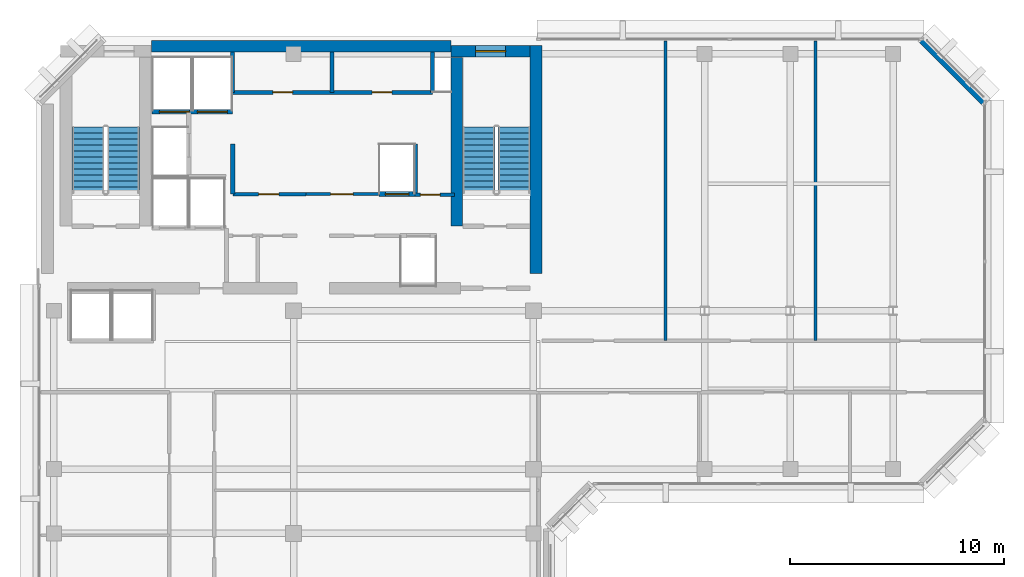
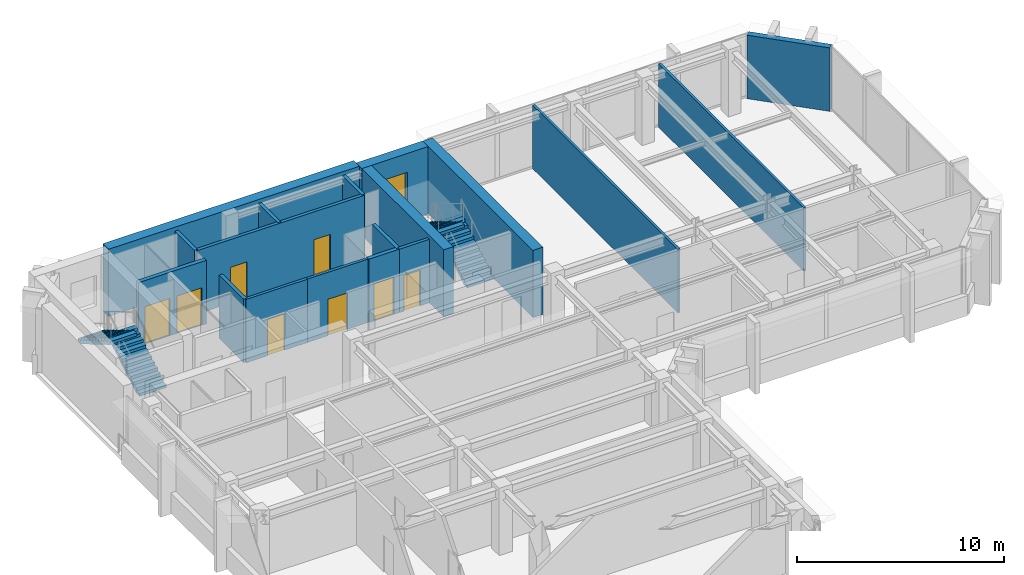
# One storey, part 8 of 11: 18 walls, 8 doors, 4 stair flights, 1 window, 9 openings, 2 elements without a shape of their own.
"""IFC4 building model written with IfcOpenShell, lengths in metres."""

from ifc_helpers import new_model, si_unit, direction, frame, frame_2d, origin, place, context, subcontext, project, spatial, polyline, rectangle, outline, extrude, material, layer, layer_set, type_object, element, fill, aggregate, save


model = new_model("IFC4")

# Units and contexts
model_context = context("Model", 3, precision=1e-05, world=origin(), true_north=direction((0.0, 1.0)))
body_context = subcontext(model_context, "Body", "Model", "MODEL_VIEW")
ifc_project = project(units=[si_unit("LENGTHUNIT", "METRE"), si_unit("AREAUNIT", "SQUARE_METRE"), si_unit("VOLUMEUNIT", "CUBIC_METRE"), si_unit("PLANEANGLEUNIT", "RADIAN"), si_unit("MASSUNIT", "GRAM", prefix="KILO")], contexts=[model_context])

# Site, building, storey
site_placement = place(None, origin())
site = spatial("IfcSite", under=ifc_project, at=site_placement, CompositionType="ELEMENT")
building_placement = place(site_placement, origin())
building = spatial("IfcBuilding", under=site, at=building_placement, Name="Kefirva Bronze Tower", CompositionType="ELEMENT")
storey_placement = place(building_placement, frame((0.0, 0.0, 292.050048828125)))
storey = spatial("IfcBuildingStorey", under=building, at=storey_placement, Name="L71", CompositionType="ELEMENT", Elevation=292.050048828125)

# Walls
ifc_material_1 = material(Name="Gypsum acoustic partition")
ifc_layer_1 = layer(ifc_material_1, 0.1298828125, Name="Gypsum acoustic partition")
ifc_layer_set_1 = layer_set([ifc_layer_1], Name="Gypsum acoustic partition")
wall_type_1 = type_object("IfcWallType", Name="Acoustic Office Partition 130mm", PredefinedType="PARTITIONING", material=ifc_layer_set_1)
for number, where, z_axis, x_axis, name in (
    (1, (29.370849609375, 31.800048828125, 0.0), (0.0, 0.0, 1.0), (0.0, 1.0, 0.0), "L71 Partition W-L71-END1"),
    (2, (36.378173828125, 31.800048828125, 0.0), (0.0, 0.0, 1.0), (0.0, 1.0, 0.0), "L71 Partition W-L71-END2"),
):
    element("IfcWall", number, at=place(storey_placement, frame(where, z_axis=z_axis, x_axis=x_axis)), inside=storey, type_object=wall_type_1, Name=name, PredefinedType="PARTITIONING", context=body_context, shape_type="SweptSolid", body=[
        extrude(rectangle(XDim=14.010009765625, YDim=0.1298828125, at=frame_2d((7.0048828125, 0.0))), origin(), (0.0, 0.0, 1.0), 3.739990234375),
    ])

# Wall, opening, door
ifc_layer_2 = layer(ifc_material_1, 0.14990234375, Name="Gypsum acoustic partition")
ifc_layer_set_2 = layer_set([ifc_layer_2], Name="Gypsum acoustic partition")
wall_type_2 = type_object("IfcWallType", Name="Executive Suite Partition 150mm", PredefinedType="PARTITIONING", material=ifc_layer_set_2)
wall_1_placement = place(storey_placement, frame((12.580078125, 38.64990234375, 0.0), z_axis=(0.0, 0.0, 1.0), x_axis=(1.0, 0.0, 0.0)))
wall_1 = element("IfcWall", 3, at=wall_1_placement, inside=storey, type_object=wall_type_2, Name="L71 Partition W-L71-RECMP2", PredefinedType="PARTITIONING", context=body_context, shape_type="SweptSolid", body=[
    extrude(rectangle(XDim=3.3798828125, YDim=0.14990234375, at=frame_2d((1.68994140625, 0.0))), origin(), (0.0, 0.0, 1.0), 3.739990234375),
])
opening_1_placement = place(wall_1_placement, frame((2.199951171875, 0.0, 0.0), z_axis=(0.0, 0.0, 1.0), x_axis=(-1.0, 0.0, 0.0)))
opening_1 = element("IfcOpeningElement", 4, at=opening_1_placement, cuts=wall_1, Name="Opening L71-D-RECMP2", PredefinedType="OPENING", context=body_context, shape_type="SweptSolid", body=[
    extrude(rectangle(XDim=1.050048828125, YDim=2.14990234375, at=frame_2d((0.52490234375, 1.074951171875))), frame((0.0, 0.0849609375, 0.0), z_axis=(0.0, -1.0, 0.0), x_axis=(1.0, 0.0, 0.0)), (0.0, 0.0, 1.0), 0.169921875),
])
ifc_material_2 = material(Name="Acoustic hardwood oak", Category="wood")
door_type_1 = type_object("IfcDoorType", Name="Executive & Boardroom Door 1050x2150", OperationType="NOTDEFINED", PredefinedType="DOOR", material=ifc_material_2)
door_1_placement = place(opening_1_placement, origin())
door_1 = element("IfcDoor", 5, at=door_1_placement, inside=storey, type_object=door_type_1, Name="Door L71-D-RECMP2", OperationType="SINGLE_SWING_RIGHT", OverallHeight=2.14990234375, OverallWidth=1.050048828125, PredefinedType="DOOR", context=body_context, shape_type="SweptSolid", body=[
    extrude(rectangle(XDim=1.050048828125, YDim=2.14990234375, at=frame_2d((0.52490234375, 1.074951171875))), frame((0.0, 0.02490234375, 0.0), z_axis=(0.0, -1.0, 0.0), x_axis=(1.0, 0.0, 0.0)), (0.0, 0.0, 1.0), 0.050048828125),
])
fill(opening_1, door_1)

# Wall, openings, doors
ifc_material_3 = material(Name="Gypsum fireboard shaftwall")
ifc_layer_3 = layer(ifc_material_3, 0.219970703125, Name="Gypsum fireboard shaftwall")
ifc_layer_set_3 = layer_set([ifc_layer_3], Name="Gypsum fireboard shaftwall")
wall_type_3 = type_object("IfcWallType", Name="Fire-Rated Shaft Enclosure Wall 220mm", PredefinedType="PARTITIONING", material=ifc_layer_set_3)
wall_2_placement = place(storey_placement, frame((5.3798828125, 42.5, 0.0), z_axis=(0.0, 0.0, 1.0), x_axis=(1.0, 0.0, 0.0)))
wall_2 = element("IfcWall", 6, at=wall_2_placement, inside=storey, type_object=wall_type_3, Name="L71 Partition W-L71-SVS", PredefinedType="PARTITIONING", context=body_context, shape_type="SweptSolid", body=[
    extrude(rectangle(XDim=3.77001953125, YDim=0.219970703125, at=frame_2d((1.885009765625, 0.0))), origin(), (0.0, 0.0, 1.0), 3.739990234375),
])
opening_2_placement = place(wall_2_placement, frame((1.75, 0.0, 0.0), z_axis=(0.0, 0.0, 1.0), x_axis=(-1.0, 0.0, 0.0)))
opening_2 = element("IfcOpeningElement", 7, at=opening_2_placement, cuts=wall_2, Name="Opening L71-LD-SV1", PredefinedType="OPENING", context=body_context, shape_type="SweptSolid", body=[
    extrude(rectangle(XDim=1.39990234375, YDim=2.199951171875, at=frame_2d((0.699951171875, 1.10009765625))), frame((0.0, 0.1201171875, 0.0), z_axis=(0.0, -1.0, 0.0), x_axis=(1.0, 0.0, 0.0)), (0.0, 0.0, 1.0), 0.239990234375),
])
opening_3_placement = place(wall_2_placement, frame((3.52978515625, 0.0, 0.0), z_axis=(0.0, 0.0, 1.0), x_axis=(-1.0, 0.0, 0.0)))
opening_3 = element("IfcOpeningElement", 8, at=opening_3_placement, cuts=wall_2, Name="Opening L71-LD-SV2", PredefinedType="OPENING", context=body_context, shape_type="SweptSolid", body=[
    extrude(rectangle(XDim=1.39990234375, YDim=2.199951171875, at=frame_2d((0.699951171875, 1.10009765625))), frame((0.0, 0.1201171875, 0.0), z_axis=(0.0, -1.0, 0.0), x_axis=(1.0, 0.0, 0.0)), (0.0, 0.0, 1.0), 0.239990234375),
])
ifc_material_4 = material(Name="Stainless steel 316", Category="steel")
door_type_2 = type_object("IfcDoorType", Name="Goods Lift Bi-Parting Sliding Door 1400x2200", OperationType="SLIDING_TO_LEFT", PredefinedType="DOOR", material=ifc_material_4)
door_2_placement = place(opening_2_placement, origin())
door_2 = element("IfcDoor", 9, at=door_2_placement, inside=storey, type_object=door_type_2, Name="Door L71-LD-SV1", OperationType="SLIDING_TO_LEFT", OverallHeight=2.199951171875, OverallWidth=1.39990234375, PredefinedType="DOOR", context=body_context, shape_type="SweptSolid", body=[
    extrude(rectangle(XDim=1.39990234375, YDim=2.199951171875, at=frame_2d((0.699951171875, 1.10009765625))), frame((0.0, 0.02490234375, 0.0), z_axis=(0.0, -1.0, 0.0), x_axis=(1.0, 0.0, 0.0)), (0.0, 0.0, 1.0), 0.050048828125),
])
fill(opening_2, door_2)
door_3_placement = place(opening_3_placement, origin())
door_3 = element("IfcDoor", 10, at=door_3_placement, inside=storey, type_object=door_type_2, Name="Door L71-LD-SV2", OperationType="SLIDING_TO_LEFT", OverallHeight=2.199951171875, OverallWidth=1.39990234375, PredefinedType="DOOR", context=body_context, shape_type="SweptSolid", body=[
    extrude(rectangle(XDim=1.39990234375, YDim=2.199951171875, at=frame_2d((0.699951171875, 1.10009765625))), frame((0.0, 0.02490234375, 0.0), z_axis=(0.0, -1.0, 0.0), x_axis=(1.0, 0.0, 0.0)), (0.0, 0.0, 1.0), 0.050048828125),
])
fill(opening_3, door_3)

# Walls
for number, where, z_axis, x_axis, name in (
    (11, (9.159912109375, 38.64990234375, 0.0), (0.0, 0.0, 1.0), (0.0, 1.0, 0.0), "L71 Partition W-L71-LP3W"),
    (12, (17.679931640625, 38.64990234375, 0.0), (0.0, 0.0, 1.0), (0.0, 1.0, 0.0), "L71 Partition W-L71-HP2E"),
):
    element("IfcWall", number, at=place(storey_placement, frame(where, z_axis=z_axis, x_axis=x_axis)), inside=storey, type_object=wall_type_3, Name=name, PredefinedType="PARTITIONING", context=body_context, shape_type="SweptSolid", body=[
        extrude(rectangle(XDim=2.35009765625, YDim=0.199951171875, at=frame_2d((1.175048828125, 0.0))), origin(), (0.0, 0.0, 1.0), 3.739990234375),
    ])

# Wall, opening, door
wall_3_placement = place(storey_placement, frame((15.97998046875, 38.64990234375, 0.0), z_axis=(0.0, 0.0, 1.0), x_axis=(1.0, 0.0, 0.0)))
wall_3 = element("IfcWall", 13, at=wall_3_placement, inside=storey, type_object=wall_type_3, Name="L71 Partition W-L71-HPN", PredefinedType="PARTITIONING", context=body_context, shape_type="SweptSolid", body=[
    extrude(rectangle(XDim=1.719970703125, YDim=0.219970703125, at=frame_2d((0.85986328125, 0.0))), origin(), (0.0, 0.0, 1.0), 3.739990234375),
])
opening_4_placement = place(wall_3_placement, frame((0.300048828125, 0.0, 0.0)))
opening_4 = element("IfcOpeningElement", 14, at=opening_4_placement, cuts=wall_3, Name="Opening L71-LD-HP2", PredefinedType="OPENING", context=body_context, shape_type="SweptSolid", body=[
    extrude(rectangle(XDim=1.10009765625, YDim=2.199951171875, at=frame_2d((0.550048828125, 1.10009765625))), frame((0.0, 0.1201171875, 0.0), z_axis=(0.0, -1.0, 0.0), x_axis=(1.0, 0.0, 0.0)), (0.0, 0.0, 1.0), 0.239990234375),
])
door_type_3 = type_object("IfcDoorType", Name="Passenger Lift Sliding Landing Door 1100x2200", OperationType="SLIDING_TO_LEFT", PredefinedType="DOOR", material=ifc_material_4)
door_4_placement = place(opening_4_placement, origin())
door_4 = element("IfcDoor", 15, at=door_4_placement, inside=storey, type_object=door_type_3, Name="Door L71-LD-HP2", OperationType="SLIDING_TO_LEFT", OverallHeight=2.199951171875, OverallWidth=1.10009765625, PredefinedType="DOOR", context=body_context, shape_type="SweptSolid", body=[
    extrude(rectangle(XDim=1.10009765625, YDim=2.199951171875, at=frame_2d((0.550048828125, 1.10009765625))), frame((0.0, 0.02490234375, 0.0), z_axis=(0.0, -1.0, 0.0), x_axis=(1.0, 0.0, 0.0)), (0.0, 0.0, 1.0), 0.050048828125),
])
fill(opening_4, door_4)

ifc_material_5 = material(Name="Gypsum fireboard barrier")
ifc_layer_4 = layer(ifc_material_5, 0.199951171875, Name="Gypsum fireboard barrier")
ifc_layer_set_4 = layer_set([ifc_layer_4], Name="Gypsum fireboard barrier")
wall_type_4 = type_object("IfcWallType", Name="Firefighting Lobby Barrier Wall 200mm", PredefinedType="PARTITIONING", material=ifc_layer_set_4)
wall_4_placement = place(storey_placement, frame((17.679931640625, 38.6201171875, 0.0), z_axis=(0.0, 0.0, 1.0), x_axis=(1.0, 0.0, 0.0)))
wall_4 = element("IfcWall", 16, at=wall_4_placement, inside=storey, type_object=wall_type_4, Name="L71 Partition W-L71-CPASS", PredefinedType="PARTITIONING", context=body_context, shape_type="SweptSolid", body=[
    extrude(rectangle(XDim=1.840087890625, YDim=0.179931640625, at=frame_2d((0.919921875, 0.0))), origin(), (0.0, 0.0, 1.0), 3.739990234375),
])
opening_5_placement = place(wall_4_placement, frame((0.239990234375, 0.0, 0.0)))
opening_5 = element("IfcOpeningElement", 17, at=opening_5_placement, cuts=wall_4, Name="Opening L71-D-CPAS", PredefinedType="OPENING", context=body_context, shape_type="SweptSolid", body=[
    extrude(rectangle(XDim=0.919921875, YDim=2.10009765625, at=frame_2d((0.4599609375, 1.050048828125))), frame((0.0, 0.10009765625, 0.0), z_axis=(0.0, -1.0, 0.0), x_axis=(1.0, 0.0, 0.0)), (0.0, 0.0, 1.0), 0.199951171875),
])
ifc_material_6 = material(Name="Moisture-resistant timber", Category="wood")
door_type_4 = type_object("IfcDoorType", Name="Accessible Sanitary & WC Door 920x2100", OperationType="NOTDEFINED", PredefinedType="DOOR", material=ifc_material_6)
door_5_placement = place(opening_5_placement, origin())
door_5 = element("IfcDoor", 18, at=door_5_placement, inside=storey, type_object=door_type_4, Name="Door L71-D-CPAS", OperationType="SINGLE_SWING_LEFT", OverallHeight=2.10009765625, OverallWidth=0.919921875, PredefinedType="DOOR", context=body_context, shape_type="SweptSolid", body=[
    extrude(rectangle(XDim=0.919921875, YDim=2.10009765625, at=frame_2d((0.4599609375, 1.050048828125))), frame((0.0, 0.02490234375, 0.0), z_axis=(0.0, -1.0, 0.0), x_axis=(1.0, 0.0, 0.0)), (0.0, 0.0, 1.0), 0.050048828125),
])
fill(opening_5, door_5)

# Wall
ifc_material_7 = material(Name="Precast concrete C40/50", Category="concrete")
ifc_layer_5 = layer(ifc_material_7, 0.320068359375, Name="Precast concrete C40/50")
ifc_layer_set_5 = layer_set([ifc_layer_5], Name="Precast concrete C40/50")
wall_type_5 = type_object("IfcWallType", Name="Precast Insulated Exterior Wall 320mm", PredefinedType="SOLIDWALL", material=ifc_layer_set_5)
wall_5_placement = place(storey_placement, frame((44.248046875, 42.92578125, 0.0), z_axis=(0.0, 0.0, 1.0), x_axis=(-0.707136318428, 0.707077242712, 0.0)))
element("IfcWall", 19, at=wall_5_placement, inside=storey, type_object=wall_type_5, Name="L71 Exterior Facade Wall 5", PredefinedType="SOLIDWALL", context=body_context, shape_type="SweptSolid", body=[
    extrude(rectangle(XDim=4.132568359375, YDim=0.320068359375, at=frame_2d((2.06640625, 0.0))), origin(), (0.0, 0.0, 1.0), 3.739990234375),
])

# Wall, opening, door
ifc_layer_6 = layer(ifc_material_1, 0.159912109375, Name="Gypsum acoustic partition")
ifc_layer_set_6 = layer_set([ifc_layer_6], Name="Gypsum acoustic partition")
wall_type_6 = type_object("IfcWallType", Name="Protected Corridor Partition 160mm", PredefinedType="PARTITIONING", material=ifc_layer_set_6)
wall_6_placement = place(storey_placement, frame((9.159912109375, 38.64990234375, 0.0), z_axis=(0.0, 0.0, 1.0), x_axis=(1.0, 0.0, 0.0)))
wall_6 = element("IfcWall", 20, at=wall_6_placement, inside=storey, type_object=wall_type_6, Name="L71 Partition W-L71-RECLP2", PredefinedType="PARTITIONING", context=body_context, shape_type="SweptSolid", body=[
    extrude(rectangle(XDim=3.420166015625, YDim=0.159912109375, at=frame_2d((1.7099609375, 0.0))), origin(), (0.0, 0.0, 1.0), 3.739990234375),
])
opening_6_placement = place(wall_6_placement, frame((2.14990234375, 0.0, 0.0), z_axis=(0.0, 0.0, 1.0), x_axis=(-1.0, 0.0, 0.0)))
opening_6 = element("IfcOpeningElement", 21, at=opening_6_placement, cuts=wall_6, Name="Opening L71-D-RECLP2", PredefinedType="OPENING", context=body_context, shape_type="SweptSolid", body=[
    extrude(rectangle(XDim=0.949951171875, YDim=2.14990234375, at=frame_2d((0.47509765625, 1.074951171875))), frame((0.0, 0.08984375, 0.0), z_axis=(0.0, -1.0, 0.0), x_axis=(1.0, 0.0, 0.0)), (0.0, 0.0, 1.0), 0.179931640625),
])
door_type_5 = type_object("IfcDoorType", Name="Office & Meeting Room Door 950x2150", OperationType="NOTDEFINED", PredefinedType="DOOR", material=ifc_material_2)
door_6_placement = place(opening_6_placement, origin())
door_6 = element("IfcDoor", 22, at=door_6_placement, inside=storey, type_object=door_type_5, Name="Door L71-D-RECLP2", OperationType="SINGLE_SWING_RIGHT", OverallHeight=2.14990234375, OverallWidth=0.949951171875, PredefinedType="DOOR", context=body_context, shape_type="SweptSolid", body=[
    extrude(rectangle(XDim=0.949951171875, YDim=2.14990234375, at=frame_2d((0.47509765625, 1.074951171875))), frame((0.0, 0.02490234375, 0.0), z_axis=(0.0, -1.0, 0.0), x_axis=(1.0, 0.0, 0.0)), (0.0, 0.0, 1.0), 0.050048828125),
])
fill(opening_6, door_6)

# Wall
ifc_material_8 = material(Name="Concrete C50/60", Category="concrete")
ifc_layer_7 = layer(ifc_material_8, 0.550048828125, Name="Concrete C50/60")
ifc_layer_set_7 = layer_set([ifc_layer_7], Name="Concrete C50/60")
wall_type_7 = type_object("IfcWallType", Name="RC Rear Core Exterior Wall 550mm", PredefinedType="SHEAR", material=ifc_layer_set_7)
wall_7_placement = place(storey_placement, frame((5.360107421875, 45.550048828125, 0.0), z_axis=(0.0, 0.0, 1.0), x_axis=(1.0, 0.0, 0.0)))
element("IfcWall", 23, at=wall_7_placement, inside=storey, type_object=wall_type_7, Name="L71 Rear Core North Shear Wall", PredefinedType="SHEAR", context=body_context, shape_type="SweptSolid", body=[
    extrude(rectangle(XDim=13.97998046875, YDim=0.550048828125, at=frame_2d((6.989990234375, 0.0))), origin(), (0.0, 0.0, 1.0), 3.9599609375),
])

# Wall, opening, window
wall_8_placement = place(storey_placement, frame((19.35009765625, 45.320068359375, 0.0), z_axis=(0.0, 0.0, 1.0), x_axis=(1.0, 0.0, 0.0)))
wall_8 = element("IfcWall", 24, at=wall_8_placement, inside=storey, type_object=wall_type_7, Name="L71 Stair 2 North Shear Wall", PredefinedType="SHEAR", context=body_context, shape_type="SweptSolid", body=[
    extrude(rectangle(XDim=3.68994140625, YDim=0.550048828125, at=frame_2d((1.844970703125, 0.0))), origin(), (0.0, 0.0, 1.0), 3.9599609375),
])
opening_7_placement = place(wall_8_placement, frame((1.14990234375, 0.0, 1.050048828125)))
opening_7 = element("IfcOpeningElement", 25, at=opening_7_placement, cuts=wall_8, Name="Opening WN-03", PredefinedType="OPENING", context=body_context, shape_type="SweptSolid", body=[
    extrude(rectangle(XDim=1.39990234375, YDim=1.800048828125, at=frame_2d((0.699951171875, 0.89990234375))), frame((0.0, 0.28515625, 0.0), z_axis=(0.0, -1.0, 0.0), x_axis=(1.0, 0.0, 0.0)), (0.0, 0.0, 1.0), 0.570068359375),
])
ifc_material_9 = material(Name="Laminated low-E double glazing", Category="glass")
window_type = type_object("IfcWindowType", Name="Rear-Core Stair Daylight Window 1400x1800", PartitioningType="SINGLE_PANEL", PredefinedType="WINDOW", material=ifc_material_9)
window_placement = place(opening_7_placement, origin())
window = element("IfcWindow", 26, at=window_placement, inside=storey, type_object=window_type, Name="L71 Stair 2 Daylight Window", OverallHeight=1.800048828125, OverallWidth=1.39990234375, PartitioningType="SINGLE_PANEL", PredefinedType="WINDOW", context=body_context, shape_type="SweptSolid", body=[
    extrude(rectangle(XDim=1.39990234375, YDim=1.800048828125, at=frame_2d((0.699951171875, 0.89990234375))), frame((0.0, 0.030029296875, 0.0), z_axis=(0.0, -1.0, 0.0), x_axis=(1.0, 0.0, 0.0)), (0.0, 0.0, 1.0), 0.06005859375),
])
fill(opening_7, window)

# Walls
ifc_layer_8 = layer(ifc_material_8, 0.550048828125, Name="Concrete C50/60")
ifc_layer_set_8 = layer_set([ifc_layer_8], Name="Concrete C50/60")
wall_type_8 = type_object("IfcWallType", Name="RC Rear Core Interior Wall 550mm", PredefinedType="SHEAR", material=ifc_layer_set_8)
wall_9_placement = place(storey_placement, frame((23.324951171875, 34.949951171875, 0.0), z_axis=(0.0, 0.0, 1.0), x_axis=(0.0, 1.0, 0.0)))
element("IfcWall", 27, at=wall_9_placement, inside=storey, type_object=wall_type_8, Name="L71 Rear Core East Shear Wall", PredefinedType="SHEAR", context=body_context, shape_type="SweptSolid", body=[
    extrude(rectangle(XDim=10.64013671875, YDim=0.550048828125, at=frame_2d((5.320068359375, 0.0))), origin(), (0.0, 0.0, 1.0), 3.9599609375),
])
wall_10_placement = place(storey_placement, frame((19.6201171875, 37.14990234375, 0.0), z_axis=(0.0, 0.0, 1.0), x_axis=(0.0, 1.0, 0.0)))
element("IfcWall", 28, at=wall_10_placement, inside=storey, type_object=wall_type_8, Name="L71 Stair 2 West Shear Wall", PredefinedType="SHEAR", context=body_context, shape_type="SweptSolid", body=[
    extrude(rectangle(XDim=7.89013671875, YDim=0.550048828125, at=frame_2d((3.945068359375, 0.0))), origin(), (0.0, 0.0, 1.0), 3.9599609375),
])

# Wall, openings, doors
ifc_material_10 = material(Name="Moisture-resistant partition")
ifc_layer_9 = layer(ifc_material_10, 0.179931640625, Name="Moisture-resistant partition")
ifc_layer_set_9 = layer_set([ifc_layer_9], Name="Moisture-resistant partition")
wall_type_9 = type_object("IfcWallType", Name="Sanitary Plumbing Chase Wall 180mm", PredefinedType="PLUMBINGWALL", material=ifc_layer_set_9)
wall_11_placement = place(storey_placement, frame((9.14990234375, 43.39990234375, 0.0), z_axis=(0.0, 0.0, 1.0), x_axis=(1.0, 0.0, 0.0)))
wall_11 = element("IfcWall", 29, at=wall_11_placement, inside=storey, type_object=wall_type_9, Name="L71 Partition W-L71-SVCS", PredefinedType="PLUMBINGWALL", context=body_context, shape_type="SweptSolid", body=[
    extrude(rectangle(XDim=9.330078125, YDim=0.179931640625, at=frame_2d((4.6650390625, 0.0))), origin(), (0.0, 0.0, 1.0), 3.739990234375),
])
opening_8_placement = place(wall_11_placement, frame((1.8798828125, 0.0, 0.0)))
opening_8 = element("IfcOpeningElement", 30, at=opening_8_placement, cuts=wall_11, Name="Opening L71-D-CSVC1", PredefinedType="OPENING", context=body_context, shape_type="SweptSolid", body=[
    extrude(rectangle(XDim=0.919921875, YDim=2.10009765625, at=frame_2d((0.4599609375, 1.050048828125))), frame((0.0, 0.10009765625, 0.0), z_axis=(0.0, -1.0, 0.0), x_axis=(1.0, 0.0, 0.0)), (0.0, 0.0, 1.0), 0.199951171875),
])
opening_9_placement = place(wall_11_placement, frame((6.514892578125, 0.0, 0.0)))
opening_9 = element("IfcOpeningElement", 31, at=opening_9_placement, cuts=wall_11, Name="Opening L71-D-CSVC2", PredefinedType="OPENING", context=body_context, shape_type="SweptSolid", body=[
    extrude(rectangle(XDim=0.919921875, YDim=2.10009765625, at=frame_2d((0.4599609375, 1.050048828125))), frame((0.0, 0.10009765625, 0.0), z_axis=(0.0, -1.0, 0.0), x_axis=(1.0, 0.0, 0.0)), (0.0, 0.0, 1.0), 0.199951171875),
])
door_7_placement = place(opening_8_placement, origin())
door_7 = element("IfcDoor", 32, at=door_7_placement, inside=storey, type_object=door_type_4, Name="Door L71-D-CSVC1", OperationType="SINGLE_SWING_LEFT", OverallHeight=2.10009765625, OverallWidth=0.919921875, PredefinedType="DOOR", context=body_context, shape_type="SweptSolid", body=[
    extrude(rectangle(XDim=0.919921875, YDim=2.10009765625, at=frame_2d((0.4599609375, 1.050048828125))), frame((0.0, 0.02490234375, 0.0), z_axis=(0.0, -1.0, 0.0), x_axis=(1.0, 0.0, 0.0)), (0.0, 0.0, 1.0), 0.050048828125),
])
fill(opening_8, door_7)
door_8_placement = place(opening_9_placement, origin())
door_8 = element("IfcDoor", 33, at=door_8_placement, inside=storey, type_object=door_type_4, Name="Door L71-D-CSVC2", OperationType="SINGLE_SWING_RIGHT", OverallHeight=2.10009765625, OverallWidth=0.919921875, PredefinedType="DOOR", context=body_context, shape_type="SweptSolid", body=[
    extrude(rectangle(XDim=0.919921875, YDim=2.10009765625, at=frame_2d((0.4599609375, 1.050048828125))), frame((0.0, 0.02490234375, 0.0), z_axis=(0.0, -1.0, 0.0), x_axis=(1.0, 0.0, 0.0)), (0.0, 0.0, 1.0), 0.050048828125),
])
fill(opening_9, door_8)

# Walls
for number, where, z_axis, x_axis, name in (
    (34, (9.14990234375, 43.39990234375, 0.0), (0.0, 0.0, 1.0), (0.0, 1.0, 0.0), "L71 Partition W-L71-SVCW"),
    (35, (18.47998046875, 43.39990234375, 0.0), (0.0, 0.0, 1.0), (0.0, 1.0, 0.0), "L71 Partition W-L71-SVCE"),
    (36, (13.800048828125, 43.39990234375, 0.0), (0.0, 0.0, 1.0), (0.0, 1.0, 0.0), "L71 Partition W-L71-CSVD-1"),
):
    element("IfcWall", number, at=place(storey_placement, frame(where, z_axis=z_axis, x_axis=x_axis)), inside=storey, type_object=wall_type_9, Name=name, PredefinedType="PLUMBINGWALL", context=body_context, shape_type="SweptSolid", body=[
        extrude(rectangle(XDim=1.880126953125, YDim=0.179931640625, at=frame_2d((0.93994140625, 0.0))), origin(), (0.0, 0.0, 1.0), 3.739990234375),
    ])

# Stair, stair flights
ifc_material_11 = material(Name="Concrete C40/50", Category="concrete")
stair_type = type_object("IfcStairType", Name="RC Dogleg Protected Stair 24R", PredefinedType="HALF_TURN_STAIR", material=ifc_material_11)
stair_1_placement = place(storey_placement, origin())
stair_1 = element("IfcStair", 37, at=stair_1_placement, inside=storey, type_object=stair_type, Name="L71 Protected Exit Stair 1", PredefinedType="HALF_TURN_STAIR")
stair_flight_type = type_object("IfcStairFlightType", Name="RC Straight Stair Flight 24R", PredefinedType="STRAIGHT", material=ifc_material_11)
stair_flight_1_placement = place(storey_placement, frame((4.050048828125, 38.699951171875, 0.0), z_axis=(0.0, 0.0, 1.0), x_axis=(0.0, 1.0, 0.0)))
stair_flight_1 = element("IfcStairFlight", 38, at=stair_flight_1_placement, type_object=stair_flight_type, Name="ST-1 flight 1", NumberOfRisers=12, NumberOfTreads=11, PredefinedType="STRAIGHT", RiserHeight=0.165, TreadLength=0.28, context=body_context, shape_type="SweptSolid", body=[
    extrude(outline(polyline([(0.0, 0.0), (0.0, 0.1650390625), (0.280029296875, 0.1650390625), (0.280029296875, 0.330078125), (0.56005859375, 0.330078125), (0.56005859375, 0.4951171875), (0.840087890625, 0.4951171875), (0.840087890625, 0.659912109375), (1.1201171875, 0.659912109375), (1.1201171875, 0.824951171875), (1.39990234375, 0.824951171875), (1.39990234375, 0.989990234375), (1.679931640625, 0.989990234375), (1.679931640625, 1.155029296875), (1.9599609375, 1.155029296875), (1.9599609375, 1.320068359375), (2.239990234375, 1.320068359375), (2.239990234375, 1.485107421875), (2.52001953125, 1.485107421875), (2.52001953125, 1.64990234375), (2.800048828125, 1.64990234375), (2.800048828125, 1.81494140625), (3.080078125, 1.81494140625), (3.080078125, 1.97998046875), (3.080078125, 1.64111328125), (0.295166015625, 0.0), (0.0, 0.0)])), frame((0.0, 0.75, 0.0), z_axis=(0.0, -1.0, 0.0), x_axis=(1.0, 0.0, 0.0)), (0.0, 0.0, 1.0), 1.5),
])
stair_flight_2_placement = place(storey_placement, frame((2.39990234375, 41.780029296875, 1.97998046875), z_axis=(0.0, 0.0, 1.0), x_axis=(0.0, -1.0, 0.0)))
stair_flight_2 = element("IfcStairFlight", 39, at=stair_flight_2_placement, type_object=stair_flight_type, Name="ST-1 flight 2", NumberOfRisers=12, NumberOfTreads=11, PredefinedType="STRAIGHT", RiserHeight=0.165, TreadLength=0.28, context=body_context, shape_type="SweptSolid", body=[
    extrude(outline(polyline([(0.0, 0.0), (0.0, 0.1650390625), (0.280029296875, 0.1650390625), (0.280029296875, 0.330078125), (0.56005859375, 0.330078125), (0.56005859375, 0.4951171875), (0.840087890625, 0.4951171875), (0.840087890625, 0.659912109375), (1.1201171875, 0.659912109375), (1.1201171875, 0.824951171875), (1.39990234375, 0.824951171875), (1.39990234375, 0.989990234375), (1.679931640625, 0.989990234375), (1.679931640625, 1.155029296875), (1.9599609375, 1.155029296875), (1.9599609375, 1.320068359375), (2.239990234375, 1.320068359375), (2.239990234375, 1.485107421875), (2.52001953125, 1.485107421875), (2.52001953125, 1.64990234375), (2.800048828125, 1.64990234375), (2.800048828125, 1.81494140625), (3.080078125, 1.81494140625), (3.080078125, 1.97998046875), (3.080078125, 1.64111328125), (0.295166015625, 0.0), (0.0, 0.0)])), frame((0.0, 0.75, 0.0), z_axis=(0.0, -1.0, 0.0), x_axis=(1.0, 0.0, 0.0)), (0.0, 0.0, 1.0), 1.5),
])
aggregate(stair_1, [stair_flight_1, stair_flight_2])

stair_2_placement = place(storey_placement, origin())
stair_2 = element("IfcStair", 40, at=stair_2_placement, inside=storey, type_object=stair_type, Name="L71 Protected Exit Stair 2", PredefinedType="HALF_TURN_STAIR")
stair_flight_3_placement = place(storey_placement, frame((22.300048828125, 38.699951171875, 0.0), z_axis=(0.0, 0.0, 1.0), x_axis=(0.0, 1.0, 0.0)))
stair_flight_3 = element("IfcStairFlight", 41, at=stair_flight_3_placement, type_object=stair_flight_type, Name="ST-2 flight 1", NumberOfRisers=12, NumberOfTreads=11, PredefinedType="STRAIGHT", RiserHeight=0.165, TreadLength=0.28, context=body_context, shape_type="SweptSolid", body=[
    extrude(outline(polyline([(0.0, 0.0), (0.0, 0.1650390625), (0.280029296875, 0.1650390625), (0.280029296875, 0.330078125), (0.56005859375, 0.330078125), (0.56005859375, 0.4951171875), (0.840087890625, 0.4951171875), (0.840087890625, 0.659912109375), (1.1201171875, 0.659912109375), (1.1201171875, 0.824951171875), (1.39990234375, 0.824951171875), (1.39990234375, 0.989990234375), (1.679931640625, 0.989990234375), (1.679931640625, 1.155029296875), (1.9599609375, 1.155029296875), (1.9599609375, 1.320068359375), (2.239990234375, 1.320068359375), (2.239990234375, 1.485107421875), (2.52001953125, 1.485107421875), (2.52001953125, 1.64990234375), (2.800048828125, 1.64990234375), (2.800048828125, 1.81494140625), (3.080078125, 1.81494140625), (3.080078125, 1.97998046875), (3.080078125, 1.64111328125), (0.295166015625, 0.0), (0.0, 0.0)])), frame((0.0, 0.75, 0.0), z_axis=(0.0, -1.0, 0.0), x_axis=(1.0, 0.0, 0.0)), (0.0, 0.0, 1.0), 1.5),
])
stair_flight_4_placement = place(storey_placement, frame((20.64990234375, 41.780029296875, 1.97998046875), z_axis=(0.0, 0.0, 1.0), x_axis=(0.0, -1.0, 0.0)))
stair_flight_4 = element("IfcStairFlight", 42, at=stair_flight_4_placement, type_object=stair_flight_type, Name="ST-2 flight 2", NumberOfRisers=12, NumberOfTreads=11, PredefinedType="STRAIGHT", RiserHeight=0.165, TreadLength=0.28, context=body_context, shape_type="SweptSolid", body=[
    extrude(outline(polyline([(0.0, 0.0), (0.0, 0.1650390625), (0.280029296875, 0.1650390625), (0.280029296875, 0.330078125), (0.56005859375, 0.330078125), (0.56005859375, 0.4951171875), (0.840087890625, 0.4951171875), (0.840087890625, 0.659912109375), (1.1201171875, 0.659912109375), (1.1201171875, 0.824951171875), (1.39990234375, 0.824951171875), (1.39990234375, 0.989990234375), (1.679931640625, 0.989990234375), (1.679931640625, 1.155029296875), (1.9599609375, 1.155029296875), (1.9599609375, 1.320068359375), (2.239990234375, 1.320068359375), (2.239990234375, 1.485107421875), (2.52001953125, 1.485107421875), (2.52001953125, 1.64990234375), (2.800048828125, 1.64990234375), (2.800048828125, 1.81494140625), (3.080078125, 1.81494140625), (3.080078125, 1.97998046875), (3.080078125, 1.64111328125), (0.295166015625, 0.0), (0.0, 0.0)])), frame((0.0, 0.75, 0.0), z_axis=(0.0, -1.0, 0.0), x_axis=(1.0, 0.0, 0.0)), (0.0, 0.0, 1.0), 1.5),
])
aggregate(stair_2, [stair_flight_3, stair_flight_4])

save(model, "model.ifc")
